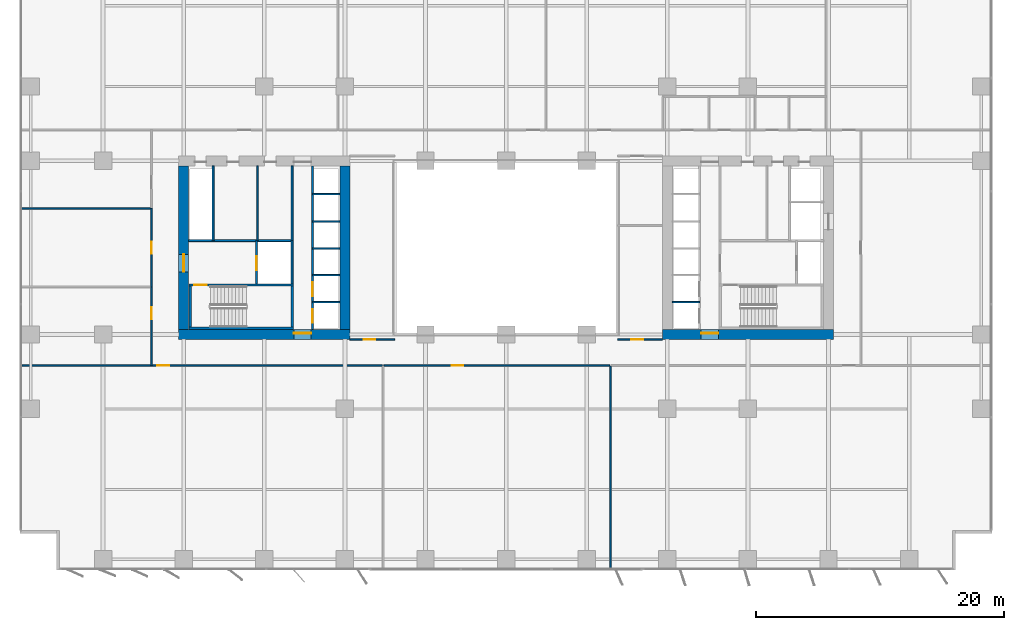
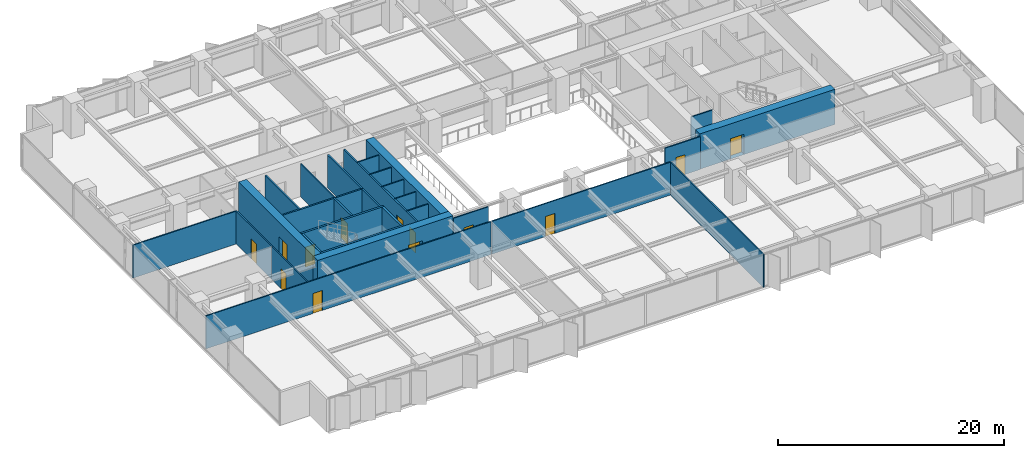
# One storey, part 13 of 20: 29 walls, 13 doors, 13 openings.
"""IFC4 building model written with IfcOpenShell, lengths in metres."""

from ifc_helpers import new_model, si_unit, direction, frame, frame_2d, origin, place, context, subcontext, project, spatial, rectangle, extrude, material, layer, layer_set, type_object, element, fill, save


model = new_model("IFC4")

# Units and contexts
model_context = context("Model", 3, precision=1e-05, world=origin(), true_north=direction((0.0, 1.0)))
body_context = subcontext(model_context, "Body", "Model", "MODEL_VIEW")
ifc_project = project(units=[si_unit("LENGTHUNIT", "METRE"), si_unit("AREAUNIT", "SQUARE_METRE"), si_unit("VOLUMEUNIT", "CUBIC_METRE"), si_unit("PLANEANGLEUNIT", "RADIAN"), si_unit("MASSUNIT", "GRAM", prefix="KILO")], contexts=[model_context])

# Site, building, storey
site_placement = place(None, origin())
site = spatial("IfcSite", under=ifc_project, at=site_placement, CompositionType="ELEMENT")
building_placement = place(site_placement, origin())
building = spatial("IfcBuilding", under=site, at=building_placement, Name="Putna Gate Headquarters", CompositionType="ELEMENT")
storey_placement = place(building_placement, frame((0.0, 0.0, 58.199951171875)))
storey = spatial("IfcBuildingStorey", under=building, at=storey_placement, Name="L13", CompositionType="ELEMENT", Elevation=58.199951171875)

# Wall, opening, door
ifc_material_1 = material(Name="Concrete C60/75", Category="concrete")
ifc_layer_1 = layer(ifc_material_1, 0.800048828125)
ifc_layer_set_1 = layer_set([ifc_layer_1], Name="Concrete C60/75")
wall_type_1 = type_object("IfcWallType", Name="WALL-CORE-800", PredefinedType="SHEAR", material=ifc_layer_set_1)
wall_1_placement = place(storey_placement, frame((12.60009765625, 19.0, 0.0), z_axis=(0.0, 0.0, 1.0), x_axis=(1.0, 0.0, 0.0)))
wall_1 = element("IfcWall", 1, at=wall_1_placement, inside=storey, type_object=wall_type_1, Name="L13 WC Split Core Shear Wall S", PredefinedType="SHEAR", context=body_context, shape_type="SweptSolid", body=[
    extrude(rectangle(XDim=13.7998046875, YDim=0.800048828125, at=frame_2d((6.89990234375, 0.0))), origin(), (0.0, 0.0, 1.0), 3.800048828125),
])
opening_1_placement = place(wall_1_placement, frame((9.280029296875, 0.0, 0.0)))
opening_1 = element("IfcOpeningElement", 2, at=opening_1_placement, cuts=wall_1, Name="Opening FDD-140", PredefinedType="OPENING", context=body_context, shape_type="SweptSolid", body=[
    extrude(rectangle(XDim=1.39990234375, YDim=2.199951171875, at=frame_2d((0.699951171875, 1.10009765625))), frame((0.0, 0.409912109375, 0.0), z_axis=(0.0, -1.0, 0.0), x_axis=(1.0, 0.0, 0.0)), (0.0, 0.0, 1.0), 0.820068359375),
])
ifc_material_2 = material(Name="Double steel fire door", Category="steel")
door_type_1 = type_object("IfcDoorType", Name="DOOR-FIRE-DBL-1400", OperationType="DOUBLE_DOOR_SINGLE_SWING", PredefinedType="DOOR", material=ifc_material_2)
door_1_placement = place(opening_1_placement, origin())
door_1 = element("IfcDoor", 3, at=door_1_placement, inside=storey, type_object=door_type_1, Name="L13 West Lift Lobby South Door", OperationType="DOUBLE_DOOR_SINGLE_SWING", OverallHeight=2.199951171875, OverallWidth=1.39990234375, PredefinedType="DOOR", context=body_context, shape_type="SweptSolid", body=[
    extrude(rectangle(XDim=1.39990234375, YDim=2.199951171875, at=frame_2d((0.699951171875, 1.10009765625))), frame((0.0, 0.125, 0.0), z_axis=(0.0, -1.0, 0.0), x_axis=(1.0, 0.0, 0.0)), (0.0, 0.0, 1.0), 0.050048828125),
])
fill(opening_1, door_1)

wall_2_placement = place(storey_placement, frame((13.0, 19.39990234375, 0.0), z_axis=(0.0, 0.0, 1.0), x_axis=(0.0, 1.0, 0.0)))
wall_2 = element("IfcWall", 4, at=wall_2_placement, inside=storey, type_object=wall_type_1, Name="L13 WC Split Core Shear Wall W", PredefinedType="SHEAR", context=body_context, shape_type="SweptSolid", body=[
    extrude(rectangle(XDim=13.2001953125, YDim=0.800048828125, at=frame_2d((6.60009765625, 0.0))), origin(), (0.0, 0.0, 1.0), 3.800048828125),
])
opening_2_placement = place(wall_2_placement, frame((4.64990234375, 0.0, 0.0)))
opening_2 = element("IfcOpeningElement", 5, at=opening_2_placement, cuts=wall_2, Name="Opening FDD-140", PredefinedType="OPENING", context=body_context, shape_type="SweptSolid", body=[
    extrude(rectangle(XDim=1.39990234375, YDim=2.199951171875, at=frame_2d((0.699951171875, 1.10009765625))), frame((0.0, 0.409912109375, 0.0), z_axis=(0.0, -1.0, 0.0), x_axis=(1.0, 0.0, 0.0)), (0.0, 0.0, 1.0), 0.820068359375),
])
door_2_placement = place(opening_2_placement, origin())
door_2 = element("IfcDoor", 6, at=door_2_placement, inside=storey, type_object=door_type_1, Name="L13 West Firefighting Lobby Door", OperationType="DOUBLE_DOOR_SINGLE_SWING", OverallHeight=2.199951171875, OverallWidth=1.39990234375, PredefinedType="DOOR", context=body_context, shape_type="SweptSolid", body=[
    extrude(rectangle(XDim=1.39990234375, YDim=2.199951171875, at=frame_2d((0.699951171875, 1.10009765625))), frame((0.0, 0.02490234375, 0.0), z_axis=(0.0, -1.0, 0.0), x_axis=(1.0, 0.0, 0.0)), (0.0, 0.0, 1.0), 0.050048828125),
])
fill(opening_2, door_2)

# Wall
wall_3_placement = place(storey_placement, frame((26.0, 19.39990234375, 0.0), z_axis=(0.0, 0.0, 1.0), x_axis=(0.0, 1.0, 0.0)))
element("IfcWall", 7, at=wall_3_placement, inside=storey, type_object=wall_type_1, Name="L13 WC Split Core Shear Wall E", PredefinedType="SHEAR", context=body_context, shape_type="SweptSolid", body=[
    extrude(rectangle(XDim=13.2001953125, YDim=0.800048828125, at=frame_2d((6.60009765625, 0.0))), origin(), (0.0, 0.0, 1.0), 3.800048828125),
])

# Wall, opening, door
wall_4_placement = place(storey_placement, frame((51.60009765625, 19.0, 0.0), z_axis=(0.0, 0.0, 1.0), x_axis=(1.0, 0.0, 0.0)))
wall_4 = element("IfcWall", 8, at=wall_4_placement, inside=storey, type_object=wall_type_1, Name="L13 EC Split Core Shear Wall S", PredefinedType="SHEAR", context=body_context, shape_type="SweptSolid", body=[
    extrude(rectangle(XDim=13.7998046875, YDim=0.800048828125, at=frame_2d((6.89990234375, 0.0))), origin(), (0.0, 0.0, 1.0), 3.800048828125),
])
opening_3_placement = place(wall_4_placement, frame((3.1201171875, 0.0, 0.0)))
opening_3 = element("IfcOpeningElement", 9, at=opening_3_placement, cuts=wall_4, Name="Opening FDD-140", PredefinedType="OPENING", context=body_context, shape_type="SweptSolid", body=[
    extrude(rectangle(XDim=1.39990234375, YDim=2.199951171875, at=frame_2d((0.699951171875, 1.10009765625))), frame((0.0, 0.409912109375, 0.0), z_axis=(0.0, -1.0, 0.0), x_axis=(1.0, 0.0, 0.0)), (0.0, 0.0, 1.0), 0.820068359375),
])
door_3_placement = place(opening_3_placement, origin())
door_3 = element("IfcDoor", 10, at=door_3_placement, inside=storey, type_object=door_type_1, Name="L13 East Lift Lobby South Door", OperationType="DOUBLE_DOOR_SINGLE_SWING", OverallHeight=2.199951171875, OverallWidth=1.39990234375, PredefinedType="DOOR", context=body_context, shape_type="SweptSolid", body=[
    extrude(rectangle(XDim=1.39990234375, YDim=2.199951171875, at=frame_2d((0.699951171875, 1.10009765625))), frame((0.0, 0.125, 0.0), z_axis=(0.0, -1.0, 0.0), x_axis=(1.0, 0.0, 0.0)), (0.0, 0.0, 1.0), 0.050048828125),
])
fill(opening_3, door_3)

ifc_material_3 = material(Name="Acoustic gypsum board on metal stud")
ifc_layer_2 = layer(ifc_material_3, 0.1201171875)
ifc_layer_set_2 = layer_set([ifc_layer_2], Name="Acoustic gypsum board on metal stud")
wall_type_2 = type_object("IfcWallType", Name="WALL-PART-120", PredefinedType="PARTITIONING", material=ifc_layer_set_2)
wall_5_placement = place(storey_placement, frame((26.39990234375, 18.60009765625, 0.0), z_axis=(0.0, 0.0, 1.0), x_axis=(1.0, 0.0, 0.0)))
wall_5 = element("IfcWall", 11, at=wall_5_placement, inside=storey, type_object=wall_type_2, Name="L13 Interior Wall PART-L13-ATR-W-S", PredefinedType="PARTITIONING", context=body_context, shape_type="SweptSolid", body=[
    extrude(rectangle(XDim=3.60009765625, YDim=0.1201171875, at=frame_2d((1.800048828125, 0.0))), origin(), (0.0, 0.0, 1.0), 3.550048828125),
])
opening_4_placement = place(wall_5_placement, frame((1.10009765625, 0.0, 0.0)))
opening_4 = element("IfcOpeningElement", 12, at=opening_4_placement, cuts=wall_5, Name="Opening ID-95", PredefinedType="OPENING", context=body_context, shape_type="SweptSolid", body=[
    extrude(rectangle(XDim=0.949951171875, YDim=2.14990234375, at=frame_2d((0.47509765625, 1.074951171875))), frame((0.0, 0.070068359375, 0.0), z_axis=(0.0, -1.0, 0.0), x_axis=(1.0, 0.0, 0.0)), (0.0, 0.0, 1.0), 0.14013671875),
])
ifc_material_4 = material(Name="Veneered acoustic timber door", Category="wood")
door_type_2 = type_object("IfcDoorType", Name="DOOR-OFF-950", OperationType="NOTDEFINED", PredefinedType="DOOR", material=ifc_material_4)
door_4_placement = place(opening_4_placement, origin())
door_4 = element("IfcDoor", 13, at=door_4_placement, inside=storey, type_object=door_type_2, Name="L13 West Atrium Gallery Lounge Door", OperationType="SINGLE_SWING_LEFT", OverallHeight=2.14990234375, OverallWidth=0.949951171875, PredefinedType="DOOR", context=body_context, shape_type="SweptSolid", body=[
    extrude(rectangle(XDim=0.949951171875, YDim=2.14990234375, at=frame_2d((0.47509765625, 1.074951171875))), frame((0.0, 0.02490234375, 0.0), z_axis=(0.0, -1.0, 0.0), x_axis=(1.0, 0.0, 0.0)), (0.0, 0.0, 1.0), 0.050048828125),
])
fill(opening_4, door_4)

wall_6_placement = place(storey_placement, frame((48.0, 18.60009765625, 0.0), z_axis=(0.0, 0.0, 1.0), x_axis=(1.0, 0.0, 0.0)))
wall_6 = element("IfcWall", 14, at=wall_6_placement, inside=storey, type_object=wall_type_2, Name="L13 Interior Wall PART-L13-ATR-E-S", PredefinedType="PARTITIONING", context=body_context, shape_type="SweptSolid", body=[
    extrude(rectangle(XDim=3.60009765625, YDim=0.1201171875, at=frame_2d((1.800048828125, 0.0))), origin(), (0.0, 0.0, 1.0), 3.550048828125),
])
opening_5_placement = place(wall_6_placement, frame((1.10009765625, 0.0, 0.0)))
opening_5 = element("IfcOpeningElement", 15, at=opening_5_placement, cuts=wall_6, Name="Opening ID-95", PredefinedType="OPENING", context=body_context, shape_type="SweptSolid", body=[
    extrude(rectangle(XDim=0.949951171875, YDim=2.14990234375, at=frame_2d((0.47509765625, 1.074951171875))), frame((0.0, 0.070068359375, 0.0), z_axis=(0.0, -1.0, 0.0), x_axis=(1.0, 0.0, 0.0)), (0.0, 0.0, 1.0), 0.14013671875),
])
door_5_placement = place(opening_5_placement, origin())
door_5 = element("IfcDoor", 16, at=door_5_placement, inside=storey, type_object=door_type_2, Name="L13 East Atrium South Gallery Door", OperationType="SINGLE_SWING_RIGHT", OverallHeight=2.14990234375, OverallWidth=0.949951171875, PredefinedType="DOOR", context=body_context, shape_type="SweptSolid", body=[
    extrude(rectangle(XDim=0.949951171875, YDim=2.14990234375, at=frame_2d((0.47509765625, 1.074951171875))), frame((0.0, 0.02490234375, 0.0), z_axis=(0.0, -1.0, 0.0), x_axis=(1.0, 0.0, 0.0)), (0.0, 0.0, 1.0), 0.050048828125),
])
fill(opening_5, door_5)

# Walls
wall_7_placement = place(storey_placement, frame((47.40478515625, 0.02001953125, 0.0), z_axis=(0.0, 0.0, 1.0), x_axis=(0.0, 1.0, 0.0)))
element("IfcWall", 17, at=wall_7_placement, inside=storey, type_object=wall_type_2, Name="L13 Interior Wall PART-L13-SB-DIV-02", PredefinedType="PARTITIONING", context=body_context, shape_type="SweptSolid", body=[
    extrude(rectangle(XDim=16.419921875, YDim=0.1201171875, at=frame_2d((8.2099609375, 0.0))), origin(), (0.0, 0.0, 1.0), 3.550048828125),
])
wall_8_placement = place(storey_placement, frame((-0.179931640625, 29.166748046875, 0.0), z_axis=(0.0, 0.0, 1.0), x_axis=(1.0, 0.0, 0.0)))
element("IfcWall", 18, at=wall_8_placement, inside=storey, type_object=wall_type_2, Name="L13 Interior Wall PART-L13-WW-DIV-2", PredefinedType="PARTITIONING", context=body_context, shape_type="SweptSolid", body=[
    extrude(rectangle(XDim=10.579833984375, YDim=0.1201171875, at=frame_2d((5.2900390625, 0.0))), origin(), (0.0, 0.0, 1.0), 3.550048828125),
])
ifc_material_5 = material(Name="Fire-rated shaftwall gypsum board on metal stud")
ifc_layer_3 = layer(ifc_material_5, 0.1201171875)
ifc_layer_set_3 = layer_set([ifc_layer_3], Name="Fire-rated shaftwall gypsum board on metal stud")
wall_type_3 = type_object("IfcWallType", Name="WALL-PART-120-EI120", PredefinedType="PARTITIONING", material=ifc_layer_set_3)
for number, where, z_axis, x_axis, name in (
    (19, (23.39990234375, 21.610107421875, 0.0), (0.0, 0.0, 1.0), (1.0, 0.0, 0.0), "L13 Interior Wall CWINT-L13-WC-LF01-DIV"),
    (20, (23.39990234375, 23.780029296875, 0.0), (0.0, 0.0, 1.0), (1.0, 0.0, 0.0), "L13 Interior Wall CWINT-L13-WC-LF02-DIV"),
    (21, (23.39990234375, 25.949951171875, 0.0), (0.0, 0.0, 1.0), (1.0, 0.0, 0.0), "L13 Interior Wall CWINT-L13-WC-LF05-DIV"),
    (22, (23.39990234375, 28.1201171875, 0.0), (0.0, 0.0, 1.0), (1.0, 0.0, 0.0), "L13 Interior Wall CWINT-L13-WC-LF06-DIV"),
    (23, (23.39990234375, 30.31005859375, 0.0), (0.0, 0.0, 1.0), (1.0, 0.0, 0.0), "L13 Interior Wall CWINT-L13-WC-LF09-DIV"),
    (24, (52.39990234375, 21.610107421875, 0.0), (0.0, 0.0, 1.0), (1.0, 0.0, 0.0), "L13 Interior Wall CWINT-L13-EC-LF03-DIV"),
):
    element("IfcWall", number, at=place(storey_placement, frame(where, z_axis=z_axis, x_axis=x_axis)), inside=storey, type_object=wall_type_3, Name=name, PredefinedType="PARTITIONING", context=body_context, shape_type="SweptSolid", body=[
        extrude(rectangle(XDim=2.2001953125, YDim=0.1201171875, at=frame_2d((1.10009765625, 0.0))), origin(), (0.0, 0.0, 1.0), 3.550048828125),
    ])
ifc_material_6 = material(Name="Fire-rated gypsum board on metal stud")
ifc_layer_4 = layer(ifc_material_6, 0.1201171875)
ifc_layer_set_4 = layer_set([ifc_layer_4], Name="Fire-rated gypsum board on metal stud")
wall_type_4 = type_object("IfcWallType", Name="WALL-PART-120-RATED", PredefinedType="PARTITIONING", material=ifc_layer_set_4)
wall_9_placement = place(storey_placement, frame((18.969970703125, 26.56005859375, 0.0), z_axis=(0.0, 0.0, 1.0), x_axis=(0.0, 1.0, 0.0)))
element("IfcWall", 25, at=wall_9_placement, inside=storey, type_object=wall_type_4, Name="L13 Interior Wall CWINT-L13-WC-K0-DIV", PredefinedType="PARTITIONING", context=body_context, shape_type="SweptSolid", body=[
    extrude(rectangle(XDim=6.0400390625, YDim=0.1201171875, at=frame_2d((3.02001953125, 0.0))), origin(), (0.0, 0.0, 1.0), 3.550048828125),
])

# Wall, opening, door
wall_10_placement = place(storey_placement, frame((-0.02001953125, 16.5, 0.0), z_axis=(0.0, 0.0, 1.0), x_axis=(1.0, 0.0, 0.0)))
wall_10 = element("IfcWall", 26, at=wall_10_placement, inside=storey, type_object=wall_type_4, Name="L13 Interior Wall PART-L13-SB-CW-01", PredefinedType="PARTITIONING", context=body_context, shape_type="SweptSolid", body=[
    extrude(rectangle(XDim=29.041015625, YDim=0.1201171875, at=frame_2d((14.5205078125, 0.0))), origin(), (0.0, 0.0, 1.0), 3.550048828125),
])
opening_6_placement = place(wall_10_placement, frame((10.89990234375, 0.0, 0.0)))
opening_6 = element("IfcOpeningElement", 27, at=opening_6_placement, cuts=wall_10, Name="Opening FD-95", PredefinedType="OPENING", context=body_context, shape_type="SweptSolid", body=[
    extrude(rectangle(XDim=0.949951171875, YDim=2.14990234375, at=frame_2d((0.47509765625, 1.074951171875))), frame((0.0, 0.070068359375, 0.0), z_axis=(0.0, -1.0, 0.0), x_axis=(1.0, 0.0, 0.0)), (0.0, 0.0, 1.0), 0.14013671875),
])
ifc_material_7 = material(Name="Acoustic timber fire door", Category="wood")
door_type_3 = type_object("IfcDoorType", Name="DOOR-FIRE-950", OperationType="NOTDEFINED", PredefinedType="DOOR", material=ifc_material_7)
door_6_placement = place(opening_6_placement, origin())
door_6 = element("IfcDoor", 28, at=door_6_placement, inside=storey, type_object=door_type_3, Name="L13 Conference Meeting Room 1 Door", OperationType="SINGLE_SWING_RIGHT", OverallHeight=2.14990234375, OverallWidth=0.949951171875, PredefinedType="DOOR", context=body_context, shape_type="SweptSolid", body=[
    extrude(rectangle(XDim=0.949951171875, YDim=2.14990234375, at=frame_2d((0.47509765625, 1.074951171875))), frame((0.0, 0.02490234375, 0.0), z_axis=(0.0, -1.0, 0.0), x_axis=(1.0, 0.0, 0.0)), (0.0, 0.0, 1.0), 0.050048828125),
])
fill(opening_6, door_6)

wall_11_placement = place(storey_placement, frame((29.14111328125, 16.5, 0.0), z_axis=(0.0, 0.0, 1.0), x_axis=(1.0, 0.0, 0.0)))
wall_11 = element("IfcWall", 29, at=wall_11_placement, inside=storey, type_object=wall_type_4, Name="L13 Interior Wall PART-L13-SB-CW-02", PredefinedType="PARTITIONING", context=body_context, shape_type="SweptSolid", body=[
    extrude(rectangle(XDim=18.203857421875, YDim=0.1201171875, at=frame_2d((9.10205078125, 0.0))), origin(), (0.0, 0.0, 1.0), 3.550048828125),
])
opening_7_placement = place(wall_11_placement, frame((5.461181640625, 0.0, 0.0)))
opening_7 = element("IfcOpeningElement", 30, at=opening_7_placement, cuts=wall_11, Name="Opening FD-95", PredefinedType="OPENING", context=body_context, shape_type="SweptSolid", body=[
    extrude(rectangle(XDim=0.949951171875, YDim=2.14990234375, at=frame_2d((0.47509765625, 1.074951171875))), frame((0.0, 0.070068359375, 0.0), z_axis=(0.0, -1.0, 0.0), x_axis=(1.0, 0.0, 0.0)), (0.0, 0.0, 1.0), 0.14013671875),
])
door_7_placement = place(opening_7_placement, origin())
door_7 = element("IfcDoor", 31, at=door_7_placement, inside=storey, type_object=door_type_3, Name="L13 Quiet Wellness Focus Studio 1 Door", OperationType="SINGLE_SWING_LEFT", OverallHeight=2.14990234375, OverallWidth=0.949951171875, PredefinedType="DOOR", context=body_context, shape_type="SweptSolid", body=[
    extrude(rectangle(XDim=0.949951171875, YDim=2.14990234375, at=frame_2d((0.47509765625, 1.074951171875))), frame((0.0, 0.02490234375, 0.0), z_axis=(0.0, -1.0, 0.0), x_axis=(1.0, 0.0, 0.0)), (0.0, 0.0, 1.0), 0.050048828125),
])
fill(opening_7, door_7)

wall_12_placement = place(storey_placement, frame((10.39990234375, 16.5, 0.0), z_axis=(0.0, 0.0, 1.0), x_axis=(0.0, 1.0, 0.0)))
wall_12 = element("IfcWall", 32, at=wall_12_placement, inside=storey, type_object=wall_type_4, Name="L13 Interior Wall PART-L13-WW-CW-1", PredefinedType="PARTITIONING", context=body_context, shape_type="SweptSolid", body=[
    extrude(rectangle(XDim=6.333251953125, YDim=0.1201171875, at=frame_2d((3.16650390625, 0.0))), origin(), (0.0, 0.0, 1.0), 3.550048828125),
])
opening_8_placement = place(wall_12_placement, frame((3.74169921875, 0.0, 0.0)))
opening_8 = element("IfcOpeningElement", 33, at=opening_8_placement, cuts=wall_12, Name="Opening FD-95", PredefinedType="OPENING", context=body_context, shape_type="SweptSolid", body=[
    extrude(rectangle(XDim=0.949951171875, YDim=2.14990234375, at=frame_2d((0.47509765625, 1.074951171875))), frame((0.0, 0.070068359375, 0.0), z_axis=(0.0, -1.0, 0.0), x_axis=(1.0, 0.0, 0.0)), (0.0, 0.0, 1.0), 0.14013671875),
])
door_8_placement = place(opening_8_placement, origin())
door_8 = element("IfcDoor", 34, at=door_8_placement, inside=storey, type_object=door_type_3, Name="L13 West Project Meeting Room 1 Door", OperationType="SINGLE_SWING_LEFT", OverallHeight=2.14990234375, OverallWidth=0.949951171875, PredefinedType="DOOR", context=body_context, shape_type="SweptSolid", body=[
    extrude(rectangle(XDim=0.949951171875, YDim=2.14990234375, at=frame_2d((0.47509765625, 1.074951171875))), frame((0.0, 0.02490234375, 0.0), z_axis=(0.0, -1.0, 0.0), x_axis=(1.0, 0.0, 0.0)), (0.0, 0.0, 1.0), 0.050048828125),
])
fill(opening_8, door_8)

wall_13_placement = place(storey_placement, frame((10.39990234375, 22.833251953125, 0.0), z_axis=(0.0, 0.0, 1.0), x_axis=(0.0, 1.0, 0.0)))
wall_13 = element("IfcWall", 35, at=wall_13_placement, inside=storey, type_object=wall_type_4, Name="L13 Interior Wall PART-L13-WW-CW-2", PredefinedType="PARTITIONING", context=body_context, shape_type="SweptSolid", body=[
    extrude(rectangle(XDim=6.33349609375, YDim=0.1201171875, at=frame_2d((3.166748046875, 0.0))), origin(), (0.0, 0.0, 1.0), 3.550048828125),
])
opening_9_placement = place(wall_13_placement, frame((2.691650390625, 0.0, 0.0)))
opening_9 = element("IfcOpeningElement", 36, at=opening_9_placement, cuts=wall_13, Name="Opening FD-95", PredefinedType="OPENING", context=body_context, shape_type="SweptSolid", body=[
    extrude(rectangle(XDim=0.949951171875, YDim=2.14990234375, at=frame_2d((0.47509765625, 1.074951171875))), frame((0.0, 0.070068359375, 0.0), z_axis=(0.0, -1.0, 0.0), x_axis=(1.0, 0.0, 0.0)), (0.0, 0.0, 1.0), 0.14013671875),
])
door_9_placement = place(opening_9_placement, origin())
door_9 = element("IfcDoor", 37, at=door_9_placement, inside=storey, type_object=door_type_3, Name="L13 West Project Meeting Room 2 Door", OperationType="SINGLE_SWING_RIGHT", OverallHeight=2.14990234375, OverallWidth=0.949951171875, PredefinedType="DOOR", context=body_context, shape_type="SweptSolid", body=[
    extrude(rectangle(XDim=0.949951171875, YDim=2.14990234375, at=frame_2d((0.47509765625, 1.074951171875))), frame((0.0, 0.02490234375, 0.0), z_axis=(0.0, -1.0, 0.0), x_axis=(1.0, 0.0, 0.0)), (0.0, 0.0, 1.0), 0.050048828125),
])
fill(opening_9, door_9)

# Wall
ifc_material_8 = material(Name="Concrete C40/50", Category="concrete")
ifc_layer_5 = layer(ifc_material_8, 0.159912109375)
ifc_layer_set_5 = layer_set([ifc_layer_5], Name="Concrete C40/50")
wall_type_5 = type_object("IfcWallType", Name="WALL-SHAFT-160", PredefinedType="STANDARD", material=ifc_layer_set_5)
wall_14_placement = place(storey_placement, frame((21.739990234375, 23.090087890625, 0.0), z_axis=(0.0, 0.0, 1.0), x_axis=(0.0, 1.0, 0.0)))
element("IfcWall", 38, at=wall_14_placement, inside=storey, type_object=wall_type_5, Name="L13 Interior Wall CWINT-L13-WC-FFL-E", PredefinedType="STANDARD", context=body_context, shape_type="SweptSolid", body=[
    extrude(rectangle(XDim=3.469970703125, YDim=0.159912109375, at=frame_2d((1.73486328125, 0.0))), origin(), (0.0, 0.0, 1.0), 3.550048828125),
])

# Wall, opening, door
wall_15_placement = place(storey_placement, frame((18.8798828125, 23.090087890625, 0.0), z_axis=(0.0, 0.0, 1.0), x_axis=(0.0, 1.0, 0.0)))
wall_15 = element("IfcWall", 39, at=wall_15_placement, inside=storey, type_object=wall_type_5, Name="L13 Interior Wall CWINT-L13-WC-LF13-W", PredefinedType="STANDARD", context=body_context, shape_type="SweptSolid", body=[
    extrude(rectangle(XDim=3.469970703125, YDim=0.159912109375, at=frame_2d((1.73486328125, 0.0))), origin(), (0.0, 0.0, 1.0), 3.550048828125),
])
opening_10_placement = place(wall_15_placement, frame((1.10009765625, 0.0, 0.0)))
opening_10 = element("IfcOpeningElement", 40, at=opening_10_placement, cuts=wall_15, Name="Opening LD-1", PredefinedType="OPENING", context=body_context, shape_type="SweptSolid", body=[
    extrude(rectangle(XDim=1.10009765625, YDim=2.199951171875, at=frame_2d((0.550048828125, 1.10009765625))), frame((0.0, 0.08984375, 0.0), z_axis=(0.0, -1.0, 0.0), x_axis=(1.0, 0.0, 0.0)), (0.0, 0.0, 1.0), 0.179931640625),
])
ifc_material_9 = material(Name="Brushed bronze stainless lift landing door")
door_type_4 = type_object("IfcDoorType", Name="DOOR-LIFT-1100", OperationType="DOUBLE_DOOR_SLIDING", PredefinedType="DOOR", material=ifc_material_9)
door_10_placement = place(opening_10_placement, origin())
door_10 = element("IfcDoor", 41, at=door_10_placement, inside=storey, type_object=door_type_4, Name="L13 Lift Landing Door LD-13", OperationType="DOUBLE_DOOR_SLIDING", OverallHeight=2.199951171875, OverallWidth=1.10009765625, PredefinedType="DOOR", context=body_context, shape_type="SweptSolid", body=[
    extrude(rectangle(XDim=1.10009765625, YDim=2.199951171875, at=frame_2d((0.550048828125, 1.10009765625))), frame((0.0, 0.02490234375, 0.0), z_axis=(0.0, -1.0, 0.0), x_axis=(1.0, 0.0, 0.0)), (0.0, 0.0, 1.0), 0.050048828125),
])
fill(opening_10, door_10)

# Walls
wall_16_placement = place(storey_placement, frame((13.39990234375, 26.56005859375, 0.0), z_axis=(0.0, 0.0, 1.0), x_axis=(1.0, 0.0, 0.0)))
element("IfcWall", 42, at=wall_16_placement, inside=storey, type_object=wall_type_5, Name="L13 Interior Wall CWINT-L13-WC-FFL-N", PredefinedType="STANDARD", context=body_context, shape_type="SweptSolid", body=[
    extrude(rectangle(XDim=8.340087890625, YDim=0.159912109375, at=frame_2d((4.169921875, 0.0))), origin(), (0.0, 0.0, 1.0), 3.550048828125),
])
for number, where, z_axis, x_axis, name in (
    (43, (15.3798828125, 26.56005859375, 0.0), (0.0, 0.0, 1.0), (0.0, 1.0, 0.0), "L13 Interior Wall CWINT-L13-WC-RISER-E"),
    (44, (21.739990234375, 26.56005859375, 0.0), (0.0, 0.0, 1.0), (0.0, 1.0, 0.0), "L13 Interior Wall CWINT-L13-WC-LOB-W"),
):
    element("IfcWall", number, at=place(storey_placement, frame(where, z_axis=z_axis, x_axis=x_axis)), inside=storey, type_object=wall_type_5, Name=name, PredefinedType="STANDARD", context=body_context, shape_type="SweptSolid", body=[
        extrude(rectangle(XDim=6.0400390625, YDim=0.159912109375, at=frame_2d((3.02001953125, 0.0))), origin(), (0.0, 0.0, 1.0), 3.550048828125),
    ])

# Wall, openings, doors
wall_17_placement = place(storey_placement, frame((23.39990234375, 19.39990234375, 0.0), z_axis=(0.0, 0.0, 1.0), x_axis=(0.0, 1.0, 0.0)))
wall_17 = element("IfcWall", 45, at=wall_17_placement, inside=storey, type_object=wall_type_5, Name="L13 Interior Wall CWINT-L13-WC-PL-WALL", PredefinedType="STANDARD", context=body_context, shape_type="SweptSolid", body=[
    extrude(rectangle(XDim=13.2001953125, YDim=0.159912109375, at=frame_2d((6.60009765625, 0.0))), origin(), (0.0, 0.0, 1.0), 3.550048828125),
])
opening_11_placement = place(wall_17_placement, frame((0.550048828125, 0.0, 0.0)))
opening_11 = element("IfcOpeningElement", 46, at=opening_11_placement, cuts=wall_17, Name="Opening LD-1", PredefinedType="OPENING", context=body_context, shape_type="SweptSolid", body=[
    extrude(rectangle(XDim=1.10009765625, YDim=2.199951171875, at=frame_2d((0.550048828125, 1.10009765625))), frame((0.0, 0.08984375, 0.0), z_axis=(0.0, -1.0, 0.0), x_axis=(1.0, 0.0, 0.0)), (0.0, 0.0, 1.0), 0.179931640625),
])
opening_12_placement = place(wall_17_placement, frame((2.699951171875, 0.0, 0.0)))
opening_12 = element("IfcOpeningElement", 47, at=opening_12_placement, cuts=wall_17, Name="Opening LD-1", PredefinedType="OPENING", context=body_context, shape_type="SweptSolid", body=[
    extrude(rectangle(XDim=1.10009765625, YDim=2.199951171875, at=frame_2d((0.550048828125, 1.10009765625))), frame((0.0, 0.08984375, 0.0), z_axis=(0.0, -1.0, 0.0), x_axis=(1.0, 0.0, 0.0)), (0.0, 0.0, 1.0), 0.179931640625),
])
door_11_placement = place(opening_11_placement, origin())
door_11 = element("IfcDoor", 48, at=door_11_placement, inside=storey, type_object=door_type_4, Name="L13 Lift Landing Door LD-01", OperationType="DOUBLE_DOOR_SLIDING", OverallHeight=2.199951171875, OverallWidth=1.10009765625, PredefinedType="DOOR", context=body_context, shape_type="SweptSolid", body=[
    extrude(rectangle(XDim=1.10009765625, YDim=2.199951171875, at=frame_2d((0.550048828125, 1.10009765625))), frame((0.0, 0.02490234375, 0.0), z_axis=(0.0, -1.0, 0.0), x_axis=(1.0, 0.0, 0.0)), (0.0, 0.0, 1.0), 0.050048828125),
])
fill(opening_11, door_11)
door_12_placement = place(opening_12_placement, origin())
door_12 = element("IfcDoor", 49, at=door_12_placement, inside=storey, type_object=door_type_4, Name="L13 Lift Landing Door LD-02", OperationType="DOUBLE_DOOR_SLIDING", OverallHeight=2.199951171875, OverallWidth=1.10009765625, PredefinedType="DOOR", context=body_context, shape_type="SweptSolid", body=[
    extrude(rectangle(XDim=1.10009765625, YDim=2.199951171875, at=frame_2d((0.550048828125, 1.10009765625))), frame((0.0, 0.02490234375, 0.0), z_axis=(0.0, -1.0, 0.0), x_axis=(1.0, 0.0, 0.0)), (0.0, 0.0, 1.0), 0.050048828125),
])
fill(opening_12, door_12)

# Wall
ifc_layer_6 = layer(ifc_material_8, 0.199951171875)
ifc_layer_set_6 = layer_set([ifc_layer_6], Name="Concrete C40/50")
wall_type_6 = type_object("IfcWallType", Name="WALL-SHAFT-RC200", PredefinedType="SHEAR", material=ifc_layer_set_6)
wall_18_placement = place(storey_placement, frame((13.409912109375, 19.510009765625, 0.0), z_axis=(0.0, 0.0, 1.0), x_axis=(1.0, 0.0, 0.0)))
element("IfcWall", 50, at=wall_18_placement, inside=storey, type_object=wall_type_6, Name="L13 Stair ST1 Structural Shaft Wall S", PredefinedType="SHEAR", context=body_context, shape_type="SweptSolid", body=[
    extrude(rectangle(XDim=8.43017578125, YDim=0.199951171875, at=frame_2d((4.215087890625, 0.0))), origin(), (0.0, 0.0, 1.0), 3.800048828125),
])

# Wall, opening, door
wall_19_placement = place(storey_placement, frame((13.409912109375, 22.989990234375, 0.0), z_axis=(0.0, 0.0, 1.0), x_axis=(1.0, 0.0, 0.0)))
wall_19 = element("IfcWall", 51, at=wall_19_placement, inside=storey, type_object=wall_type_6, Name="L13 Stair ST1 Structural Shaft Wall N", PredefinedType="SHEAR", context=body_context, shape_type="SweptSolid", body=[
    extrude(rectangle(XDim=8.43017578125, YDim=0.199951171875, at=frame_2d((4.215087890625, 0.0))), origin(), (0.0, 0.0, 1.0), 3.800048828125),
])
opening_13_placement = place(wall_19_placement, frame((0.449951171875, 0.0, 0.0)))
opening_13 = element("IfcOpeningElement", 52, at=opening_13_placement, cuts=wall_19, Name="Opening FD-100", PredefinedType="OPENING", context=body_context, shape_type="SweptSolid", body=[
    extrude(rectangle(XDim=1.0, YDim=2.14990234375, at=frame_2d((0.5, 1.074951171875))), frame((0.0, 0.10986328125, 0.0), z_axis=(0.0, -1.0, 0.0), x_axis=(1.0, 0.0, 0.0)), (0.0, 0.0, 1.0), 0.219970703125),
])
ifc_material_10 = material(Name="Powder-coated steel fire door", Category="steel")
door_type_5 = type_object("IfcDoorType", Name="DOOR-FIRE-1000", OperationType="NOTDEFINED", PredefinedType="DOOR", material=ifc_material_10)
door_13_placement = place(opening_13_placement, origin())
door_13 = element("IfcDoor", 53, at=door_13_placement, inside=storey, type_object=door_type_5, Name="L13 Stair ST1 Fire Door", OperationType="SINGLE_SWING_LEFT", OverallHeight=2.14990234375, OverallWidth=1.0, PredefinedType="DOOR", context=body_context, shape_type="SweptSolid", body=[
    extrude(rectangle(XDim=1.0, YDim=2.14990234375, at=frame_2d((0.5, 1.074951171875))), frame((0.0, 0.02490234375, 0.0), z_axis=(0.0, -1.0, 0.0), x_axis=(1.0, 0.0, 0.0)), (0.0, 0.0, 1.0), 0.050048828125),
])
fill(opening_13, door_13)

# Walls
for number, where, z_axis, x_axis, name in (
    (54, (13.510009765625, 19.610107421875, 0.0), (0.0, 0.0, 1.0), (0.0, 1.0, 0.0), "L13 Stair ST1 Structural Shaft Wall W"),
    (55, (21.739990234375, 19.610107421875, 0.0), (0.0, 0.0, 1.0), (0.0, 1.0, 0.0), "L13 Stair ST1 Structural Shaft Wall E"),
):
    element("IfcWall", number, at=place(storey_placement, frame(where, z_axis=z_axis, x_axis=x_axis)), inside=storey, type_object=wall_type_6, Name=name, PredefinedType="SHEAR", context=body_context, shape_type="SweptSolid", body=[
        extrude(rectangle(XDim=3.27978515625, YDim=0.199951171875, at=frame_2d((1.639892578125, 0.0))), origin(), (0.0, 0.0, 1.0), 3.800048828125),
    ])

save(model, "model.ifc")
